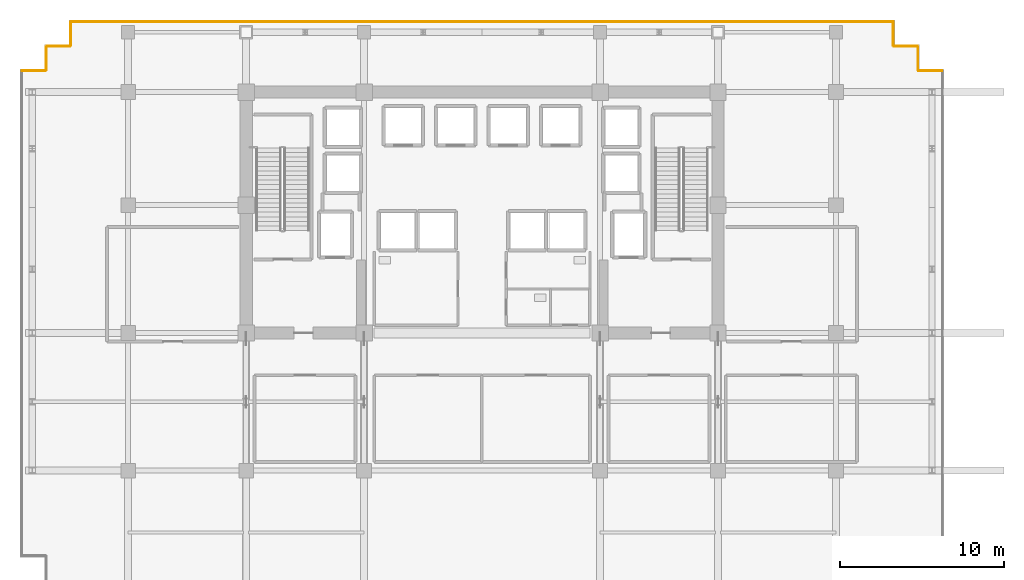
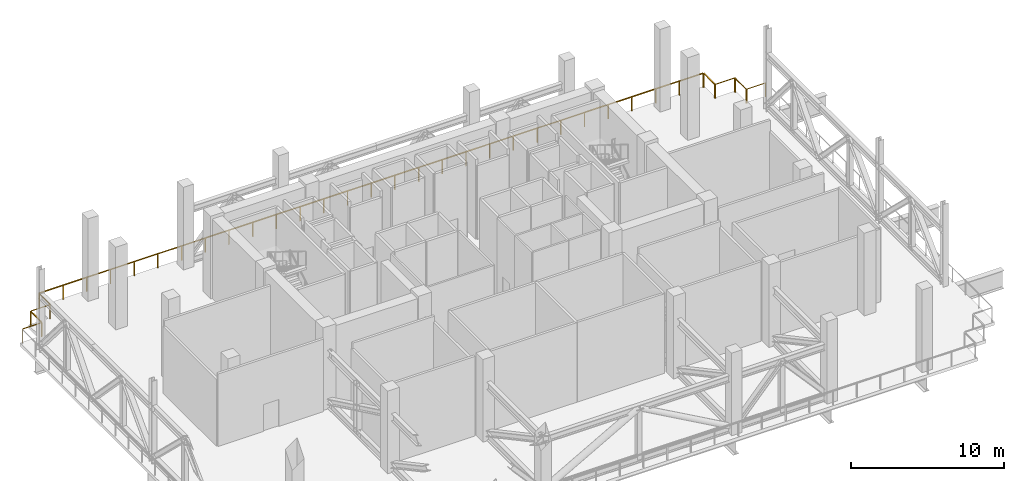
# One storey, part 14 of 15: 9 railings.
"""IFC4 building model written with IfcOpenShell, lengths in metres."""

from ifc_helpers import new_model, si_unit, direction, frame, origin, origin_2d, place, context, subcontext, project, spatial, rectangle, extrude, material, type_object, element, save


model = new_model("IFC4")

# Units and contexts
model_context = context("Model", 3, precision=1e-05, world=origin(), true_north=direction((0.0, 1.0)))
body_context = subcontext(model_context, "Body", "Model", "MODEL_VIEW")
ifc_project = project(units=[si_unit("LENGTHUNIT", "METRE"), si_unit("AREAUNIT", "SQUARE_METRE"), si_unit("VOLUMEUNIT", "CUBIC_METRE"), si_unit("PLANEANGLEUNIT", "RADIAN"), si_unit("MASSUNIT", "GRAM", prefix="KILO")], contexts=[model_context])

# Site, building, storey
site_placement = place(None, origin())
site = spatial("IfcSite", under=ifc_project, at=site_placement, CompositionType="ELEMENT")
building_placement = place(site_placement, origin())
building = spatial("IfcBuilding", under=site, at=building_placement, Name="Zarnakvel Exchange Tower", CompositionType="ELEMENT")
storey_placement = place(building_placement, frame((0.0, 0.0, 80.199951171875)))
storey = spatial("IfcBuildingStorey", under=building, at=storey_placement, Name="L22", CompositionType="ELEMENT", Elevation=80.199951171875)

# Railings
ifc_material = material(Name="Architectural Bronze Anodised Aluminium", Category="aluminium")
railing_type = type_object("IfcRailingType", Name="GR-01", PredefinedType="GUARDRAIL", material=ifc_material)
railing_1_placement = place(storey_placement, frame((-28.06005859375, 14.800048828125, 0.0)))
element("IfcRailing", 1, at=railing_1_placement, inside=storey, type_object=railing_type, Name="L22 Perimeter Guardrail GR-L22-PERIM-02 (GR-01)", PredefinedType="GUARDRAIL", context=body_context, shape_type="SweptSolid", body=[
    extrude(rectangle(XDim=0.048095703125, YDim=0.048095703125, at=origin_2d()), frame((0.0, 0.0, 1.1259765625), z_axis=(1.0, 0.0, 0.0), x_axis=(0.0, 1.0, 0.0)), (0.0, 0.0, 1.0), 1.420166015625),
    extrude(rectangle(XDim=0.0419921875, YDim=0.0419921875, at=origin_2d()), origin(), (0.0, 0.0, 1.0), 1.101806640625),
    extrude(rectangle(XDim=0.0419921875, YDim=0.0419921875, at=origin_2d()), frame((1.420166015625, 0.0, 0.0)), (0.0, 0.0, 1.0), 1.101806640625),
])
railing_2_placement = place(storey_placement, frame((-26.60009765625, 14.840087890625, 0.0)))
element("IfcRailing", 2, at=railing_2_placement, inside=storey, type_object=railing_type, Name="L22 Perimeter Guardrail GR-L22-PERIM-03 (GR-01)", PredefinedType="GUARDRAIL", context=body_context, shape_type="SweptSolid", body=[
    extrude(rectangle(XDim=0.048095703125, YDim=0.048095703125, at=origin_2d()), frame((0.0, 0.0, 1.1259765625), z_axis=(0.0, 1.0, 0.0), x_axis=(-1.0, 0.0, 0.0)), (0.0, 0.0, 1.0), 1.419921875),
    extrude(rectangle(XDim=0.0419921875, YDim=0.0419921875, at=origin_2d()), origin(), (0.0, 0.0, 1.0), 1.101806640625),
    extrude(rectangle(XDim=0.0419921875, YDim=0.0419921875, at=origin_2d()), frame((0.0, 1.419921875, 0.0)), (0.0, 0.0, 1.0), 1.101806640625),
])
railing_3_placement = place(storey_placement, frame((-26.56005859375, 16.300048828125, 0.0)))
element("IfcRailing", 3, at=railing_3_placement, inside=storey, type_object=railing_type, Name="L22 Perimeter Guardrail GR-L22-PERIM-04 (GR-01)", PredefinedType="GUARDRAIL", context=body_context, shape_type="SweptSolid", body=[
    extrude(rectangle(XDim=0.048095703125, YDim=0.048095703125, at=origin_2d()), frame((0.0, 0.0, 1.1259765625), z_axis=(1.0, 0.0, 0.0), x_axis=(0.0, 1.0, 0.0)), (0.0, 0.0, 1.0), 1.420166015625),
    extrude(rectangle(XDim=0.0419921875, YDim=0.0419921875, at=origin_2d()), origin(), (0.0, 0.0, 1.0), 1.101806640625),
    extrude(rectangle(XDim=0.0419921875, YDim=0.0419921875, at=origin_2d()), frame((1.420166015625, 0.0, 0.0)), (0.0, 0.0, 1.0), 1.101806640625),
])
railing_4_placement = place(storey_placement, frame((-25.10009765625, 16.340087890625, 0.0)))
element("IfcRailing", 4, at=railing_4_placement, inside=storey, type_object=railing_type, Name="L22 Perimeter Guardrail GR-L22-PERIM-05 (GR-01)", PredefinedType="GUARDRAIL", context=body_context, shape_type="SweptSolid", body=[
    extrude(rectangle(XDim=0.048095703125, YDim=0.048095703125, at=origin_2d()), frame((0.0, 0.0, 1.1259765625), z_axis=(0.0, 1.0, 0.0), x_axis=(-1.0, 0.0, 0.0)), (0.0, 0.0, 1.0), 1.419921875),
    extrude(rectangle(XDim=0.0419921875, YDim=0.0419921875, at=origin_2d()), origin(), (0.0, 0.0, 1.0), 1.101806640625),
    extrude(rectangle(XDim=0.0419921875, YDim=0.0419921875, at=origin_2d()), frame((0.0, 1.419921875, 0.0)), (0.0, 0.0, 1.0), 1.101806640625),
])
railing_5_placement = place(storey_placement, frame((-25.06005859375, 17.800048828125, 0.0)))
element("IfcRailing", 5, at=railing_5_placement, inside=storey, type_object=railing_type, Name="L22 Perimeter Guardrail GR-L22-PERIM-06 (GR-01)", PredefinedType="GUARDRAIL", context=body_context, shape_type="SweptSolid", body=[
    extrude(rectangle(XDim=0.048095703125, YDim=0.048095703125, at=origin_2d()), frame((0.0, 0.0, 1.1259765625), z_axis=(1.0, 0.0, 0.0), x_axis=(0.0, 1.0, 0.0)), (0.0, 0.0, 1.0), 50.1201171875),
    extrude(rectangle(XDim=0.0419921875, YDim=0.0419921875, at=origin_2d()), origin(), (0.0, 0.0, 1.0), 1.101806640625),
    extrude(rectangle(XDim=0.0419921875, YDim=0.0419921875, at=origin_2d()), frame((1.7900390625, 0.0, 0.0)), (0.0, 0.0, 1.0), 1.101806640625),
    extrude(rectangle(XDim=0.0419921875, YDim=0.0419921875, at=origin_2d()), frame((3.580078125, 0.0, 0.0)), (0.0, 0.0, 1.0), 1.101806640625),
    extrude(rectangle(XDim=0.0419921875, YDim=0.0419921875, at=origin_2d()), frame((5.3701171875, 0.0, 0.0)), (0.0, 0.0, 1.0), 1.101806640625),
    extrude(rectangle(XDim=0.0419921875, YDim=0.0419921875, at=origin_2d()), frame((7.159912109375, 0.0, 0.0)), (0.0, 0.0, 1.0), 1.101806640625),
    extrude(rectangle(XDim=0.0419921875, YDim=0.0419921875, at=origin_2d()), frame((8.949951171875, 0.0, 0.0)), (0.0, 0.0, 1.0), 1.101806640625),
    extrude(rectangle(XDim=0.0419921875, YDim=0.0419921875, at=origin_2d()), frame((10.739990234375, 0.0, 0.0)), (0.0, 0.0, 1.0), 1.101806640625),
    extrude(rectangle(XDim=0.0419921875, YDim=0.0419921875, at=origin_2d()), frame((12.530029296875, 0.0, 0.0)), (0.0, 0.0, 1.0), 1.101806640625),
    extrude(rectangle(XDim=0.0419921875, YDim=0.0419921875, at=origin_2d()), frame((14.320068359375, 0.0, 0.0)), (0.0, 0.0, 1.0), 1.101806640625),
    extrude(rectangle(XDim=0.0419921875, YDim=0.0419921875, at=origin_2d()), frame((16.110107421875, 0.0, 0.0)), (0.0, 0.0, 1.0), 1.101806640625),
    extrude(rectangle(XDim=0.0419921875, YDim=0.0419921875, at=origin_2d()), frame((17.900146484375, 0.0, 0.0)), (0.0, 0.0, 1.0), 1.101806640625),
    extrude(rectangle(XDim=0.0419921875, YDim=0.0419921875, at=origin_2d()), frame((19.68994140625, 0.0, 0.0)), (0.0, 0.0, 1.0), 1.101806640625),
    extrude(rectangle(XDim=0.0419921875, YDim=0.0419921875, at=origin_2d()), frame((21.47998046875, 0.0, 0.0)), (0.0, 0.0, 1.0), 1.101806640625),
    extrude(rectangle(XDim=0.0419921875, YDim=0.0419921875, at=origin_2d()), frame((23.27001953125, 0.0, 0.0)), (0.0, 0.0, 1.0), 1.101806640625),
    extrude(rectangle(XDim=0.0419921875, YDim=0.0419921875, at=origin_2d()), frame((25.06005859375, 0.0, 0.0)), (0.0, 0.0, 1.0), 1.101806640625),
    extrude(rectangle(XDim=0.0419921875, YDim=0.0419921875, at=origin_2d()), frame((26.85009765625, 0.0, 0.0)), (0.0, 0.0, 1.0), 1.101806640625),
    extrude(rectangle(XDim=0.0419921875, YDim=0.0419921875, at=origin_2d()), frame((28.64013671875, 0.0, 0.0)), (0.0, 0.0, 1.0), 1.101806640625),
    extrude(rectangle(XDim=0.0419921875, YDim=0.0419921875, at=origin_2d()), frame((30.43017578125, 0.0, 0.0)), (0.0, 0.0, 1.0), 1.101806640625),
    extrude(rectangle(XDim=0.0419921875, YDim=0.0419921875, at=origin_2d()), frame((32.219970703125, 0.0, 0.0)), (0.0, 0.0, 1.0), 1.101806640625),
    extrude(rectangle(XDim=0.0419921875, YDim=0.0419921875, at=origin_2d()), frame((34.010009765625, 0.0, 0.0)), (0.0, 0.0, 1.0), 1.101806640625),
    extrude(rectangle(XDim=0.0419921875, YDim=0.0419921875, at=origin_2d()), frame((35.800048828125, 0.0, 0.0)), (0.0, 0.0, 1.0), 1.101806640625),
    extrude(rectangle(XDim=0.0419921875, YDim=0.0419921875, at=origin_2d()), frame((37.590087890625, 0.0, 0.0)), (0.0, 0.0, 1.0), 1.101806640625),
    extrude(rectangle(XDim=0.0419921875, YDim=0.0419921875, at=origin_2d()), frame((39.380126953125, 0.0, 0.0)), (0.0, 0.0, 1.0), 1.101806640625),
    extrude(rectangle(XDim=0.0419921875, YDim=0.0419921875, at=origin_2d()), frame((41.170166015625, 0.0, 0.0)), (0.0, 0.0, 1.0), 1.101806640625),
    extrude(rectangle(XDim=0.0419921875, YDim=0.0419921875, at=origin_2d()), frame((42.960205078125, 0.0, 0.0)), (0.0, 0.0, 1.0), 1.101806640625),
    extrude(rectangle(XDim=0.0419921875, YDim=0.0419921875, at=origin_2d()), frame((44.75, 0.0, 0.0)), (0.0, 0.0, 1.0), 1.101806640625),
    extrude(rectangle(XDim=0.0419921875, YDim=0.0419921875, at=origin_2d()), frame((46.5400390625, 0.0, 0.0)), (0.0, 0.0, 1.0), 1.101806640625),
    extrude(rectangle(XDim=0.0419921875, YDim=0.0419921875, at=origin_2d()), frame((48.330078125, 0.0, 0.0)), (0.0, 0.0, 1.0), 1.101806640625),
    extrude(rectangle(XDim=0.0419921875, YDim=0.0419921875, at=origin_2d()), frame((50.1201171875, 0.0, 0.0)), (0.0, 0.0, 1.0), 1.101806640625),
])
railing_6_placement = place(storey_placement, frame((25.10009765625, 17.760009765625, 0.0)))
element("IfcRailing", 6, at=railing_6_placement, inside=storey, type_object=railing_type, Name="L22 Perimeter Guardrail GR-L22-PERIM-07 (GR-01)", PredefinedType="GUARDRAIL", context=body_context, shape_type="SweptSolid", body=[
    extrude(rectangle(XDim=0.048095703125, YDim=0.048095703125, at=origin_2d()), frame((0.0, 0.0, 1.1259765625), z_axis=(0.0, -1.0, 0.0), x_axis=(1.0, 0.0, 0.0)), (0.0, 0.0, 1.0), 1.419921875),
    extrude(rectangle(XDim=0.0419921875, YDim=0.0419921875, at=origin_2d()), origin(), (0.0, 0.0, 1.0), 1.101806640625),
    extrude(rectangle(XDim=0.0419921875, YDim=0.0419921875, at=origin_2d()), frame((0.0, -1.419921875, 0.0)), (0.0, 0.0, 1.0), 1.101806640625),
])
railing_7_placement = place(storey_placement, frame((25.139892578125, 16.300048828125, 0.0)))
element("IfcRailing", 7, at=railing_7_placement, inside=storey, type_object=railing_type, Name="L22 Perimeter Guardrail GR-L22-PERIM-08 (GR-01)", PredefinedType="GUARDRAIL", context=body_context, shape_type="SweptSolid", body=[
    extrude(rectangle(XDim=0.048095703125, YDim=0.048095703125, at=origin_2d()), frame((0.0, 0.0, 1.1259765625), z_axis=(1.0, 0.0, 0.0), x_axis=(0.0, 1.0, 0.0)), (0.0, 0.0, 1.0), 1.420166015625),
    extrude(rectangle(XDim=0.0419921875, YDim=0.0419921875, at=origin_2d()), origin(), (0.0, 0.0, 1.0), 1.101806640625),
    extrude(rectangle(XDim=0.0419921875, YDim=0.0419921875, at=origin_2d()), frame((1.420166015625, 0.0, 0.0)), (0.0, 0.0, 1.0), 1.101806640625),
])
railing_8_placement = place(storey_placement, frame((26.60009765625, 16.260009765625, 0.0)))
element("IfcRailing", 8, at=railing_8_placement, inside=storey, type_object=railing_type, Name="L22 Perimeter Guardrail GR-L22-PERIM-09 (GR-01)", PredefinedType="GUARDRAIL", context=body_context, shape_type="SweptSolid", body=[
    extrude(rectangle(XDim=0.048095703125, YDim=0.048095703125, at=origin_2d()), frame((0.0, 0.0, 1.1259765625), z_axis=(0.0, -1.0, 0.0), x_axis=(1.0, 0.0, 0.0)), (0.0, 0.0, 1.0), 1.419921875),
    extrude(rectangle(XDim=0.0419921875, YDim=0.0419921875, at=origin_2d()), origin(), (0.0, 0.0, 1.0), 1.101806640625),
    extrude(rectangle(XDim=0.0419921875, YDim=0.0419921875, at=origin_2d()), frame((0.0, -1.419921875, 0.0)), (0.0, 0.0, 1.0), 1.101806640625),
])
railing_9_placement = place(storey_placement, frame((26.639892578125, 14.800048828125, 0.0)))
element("IfcRailing", 9, at=railing_9_placement, inside=storey, type_object=railing_type, Name="L22 Perimeter Guardrail GR-L22-PERIM-10 (GR-01)", PredefinedType="GUARDRAIL", context=body_context, shape_type="SweptSolid", body=[
    extrude(rectangle(XDim=0.048095703125, YDim=0.048095703125, at=origin_2d()), frame((0.0, 0.0, 1.1259765625), z_axis=(1.0, 0.0, 0.0), x_axis=(0.0, 1.0, 0.0)), (0.0, 0.0, 1.0), 1.420166015625),
    extrude(rectangle(XDim=0.0419921875, YDim=0.0419921875, at=origin_2d()), origin(), (0.0, 0.0, 1.0), 1.101806640625),
    extrude(rectangle(XDim=0.0419921875, YDim=0.0419921875, at=origin_2d()), frame((1.420166015625, 0.0, 0.0)), (0.0, 0.0, 1.0), 1.101806640625),
])

save(model, "model.ifc")
